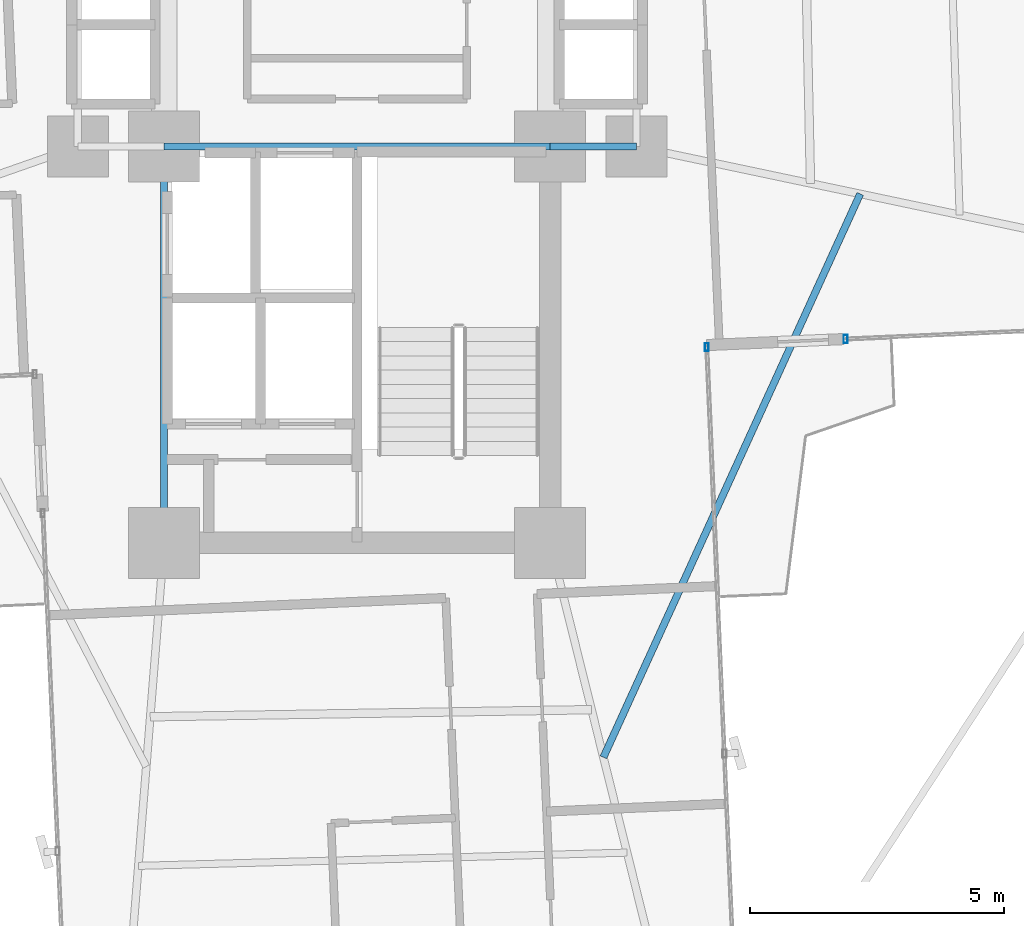
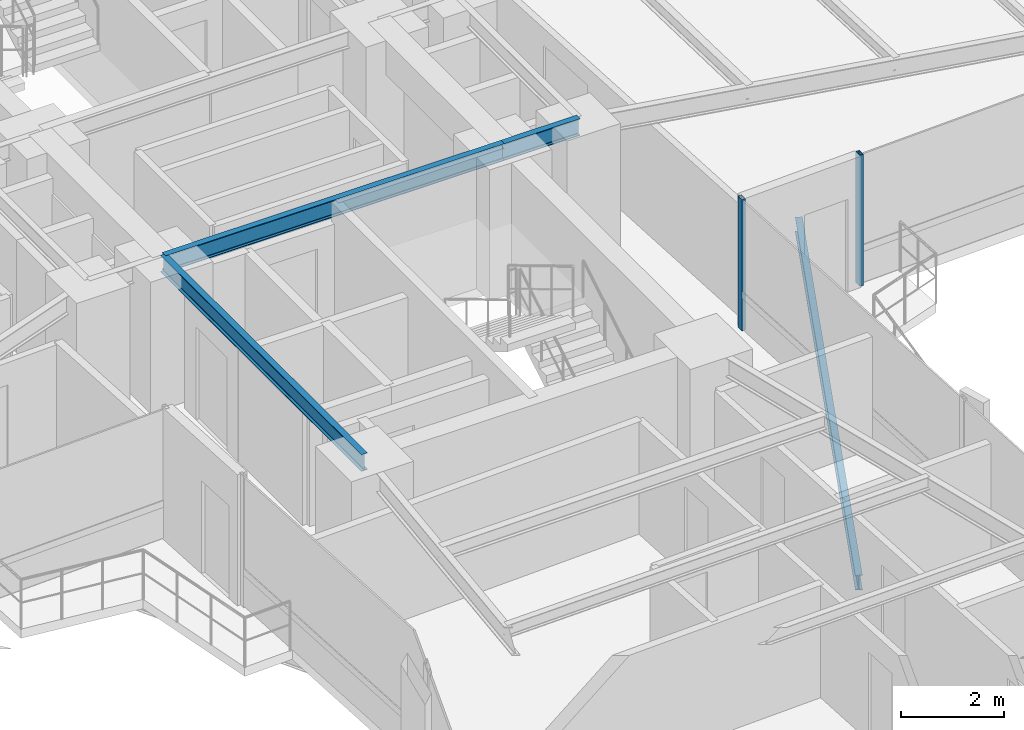
# One storey, part 11 of 26: 4 beams, 2 members, 2 elements without a shape of their own.
"""IFC4 building model written with IfcOpenShell, lengths in metres."""

from ifc_helpers import new_model, si_unit, direction, frame, origin, origin_2d, place, context, subcontext, project, spatial, hollow_rectangle, i_section, extrude, source, transform, mapped, material, material_profile, profile_set, type_object, element, aggregate, save


model = new_model("IFC4")

# Units and contexts
model_context = context("Model", 3, precision=1e-05, world=origin(), true_north=direction((0.0, 1.0)))
body_context = subcontext(model_context, "Body", "Model", "MODEL_VIEW")
ifc_project = project(units=[si_unit("LENGTHUNIT", "METRE"), si_unit("AREAUNIT", "SQUARE_METRE"), si_unit("VOLUMEUNIT", "CUBIC_METRE"), si_unit("PLANEANGLEUNIT", "RADIAN"), si_unit("MASSUNIT", "GRAM", prefix="KILO")], contexts=[model_context])

# Site, building, storey
site_placement = place(None, origin())
site = spatial("IfcSite", under=ifc_project, at=site_placement, CompositionType="ELEMENT")
building_placement = place(site_placement, origin())
building = spatial("IfcBuilding", under=site, at=building_placement, Name="Sahyath Konkavel Grand Hotel", CompositionType="ELEMENT")
storey_placement = place(building_placement, frame((0.0, 0.0, 96.89990234375)))
storey = spatial("IfcBuildingStorey", under=building, at=storey_placement, Name="L26", CompositionType="ELEMENT", Elevation=96.89990234375)

# Beams
ifc_material_1 = material(Name="Steel E350", Category="steel")
ifc_material_profile_1 = material_profile(ifc_material_1, i_section(OverallWidth=0.139892578125, OverallDepth=0.39990234375, WebThickness=0.0087890625, FlangeThickness=0.01611328125, FilletRadius=0.013916015625, at=origin_2d()), Name="ISMB 400")
ifc_profile_set_1 = profile_set([ifc_material_profile_1], Name="Steel E350")
beam_type_1 = type_object("IfcBeamType", Name="BM-ISMB400", PredefinedType="BEAM", material=ifc_profile_set_1)
shared_shape_1 = source(origin(), body_context, "Body", "SweptSolid", [
    extrude(i_section(OverallWidth=0.139892578125, OverallDepth=0.39990234375, WebThickness=0.0087890625, FlangeThickness=0.01611328125, FilletRadius=0.013916015625, at=origin_2d()), origin(), (0.0, 0.0, 1.0), 7.60009765625),
])
beam_1_placement = place(storey_placement, frame((-3.800048828125, -2.39990234375, 2.91015625), z_axis=(1.0, 0.0, 0.0), x_axis=(0.0, 1.0, 0.0)))
element("IfcBeam", 1, at=beam_1_placement, inside=storey, type_object=beam_type_1, Name="str:bm:L26:SC-N", PredefinedType="BEAM", context=body_context, shape_type="MappedRepresentation", body=[
    mapped(shared_shape_1, transform((0.0, 0.0, 0.0), scale=1.0)),
])
shared_shape_2 = source(origin(), body_context, "Body", "SweptSolid", [
    extrude(i_section(OverallWidth=0.139892578125, OverallDepth=0.39990234375, WebThickness=0.0087890625, FlangeThickness=0.01611328125, FilletRadius=0.013916015625, at=origin_2d()), origin(), (0.0, 0.0, 1.0), 7.800048828125),
])
beam_2_placement = place(storey_placement, frame((-3.800048828125, -10.199951171875, 2.91015625), z_axis=(0.0, 1.0, 0.0), x_axis=(-1.0, 0.0, 0.0)))
element("IfcBeam", 2, at=beam_2_placement, inside=storey, type_object=beam_type_1, Name="str:bm:L26:SC-W", PredefinedType="BEAM", context=body_context, shape_type="MappedRepresentation", body=[
    mapped(shared_shape_2, transform((0.0, 0.0, 0.0), scale=1.0)),
])
shared_shape_3 = source(origin(), body_context, "Body", "SweptSolid", [
    extrude(i_section(OverallWidth=0.139892578125, OverallDepth=0.39990234375, WebThickness=0.0087890625, FlangeThickness=0.01611328125, FilletRadius=0.013916015625, at=origin_2d()), origin(), (0.0, 0.0, 1.0), 1.699951171875),
])
beam_3_placement = place(storey_placement, frame((3.800048828125, -2.39990234375, 2.91015625), z_axis=(1.0, 0.0, 0.0), x_axis=(0.0, 1.0, 0.0)))
element("IfcBeam", 3, at=beam_3_placement, inside=storey, type_object=beam_type_1, Name="str:bm:L26:HB-SE", PredefinedType="BEAM", context=body_context, shape_type="MappedRepresentation", body=[
    mapped(shared_shape_3, transform((0.0, 0.0, 0.0), scale=1.0)),
])

# Curtain wall, member
ifc_material_2 = material(Name="Anodised Bronze Aluminium & Low-E Glazing", Category="aluminium")
curtain_wall_type = type_object("IfcCurtainWallType", Name="CW-ZONE2", PredefinedType="NOTDEFINED", material=ifc_material_2)
curtain_wall_1_placement = place(storey_placement, origin())
curtain_wall_1 = element("IfcCurtainWall", 4, at=curtain_wall_1_placement, inside=storey, type_object=curtain_wall_type, Name="L26 Unitised Curtain Wall F0", PredefinedType="NOTDEFINED")
ifc_material_3 = material(Name="Anodised Bronze Aluminium", Category="aluminium")
ifc_material_profile_2 = material_profile(ifc_material_3, hollow_rectangle(XDim=0.080078125, YDim=0.159912109375, WallThickness=0.006103515625, at=origin_2d()), Name="RHS 160x80x6")
ifc_profile_set_2 = profile_set([ifc_material_profile_2], Name="Anodised Bronze Aluminium")
member_type = type_object("IfcMemberType", Name="CW-MUL-160", PredefinedType="MULLION", material=ifc_profile_set_2)
shared_shape_4 = source(origin(), body_context, "Body", "SweptSolid", [
    extrude(hollow_rectangle(XDim=0.080078125, YDim=0.159912109375, WallThickness=0.006103515625, at=origin_2d()), origin(), (0.0, 0.0, 1.0), 3.110107421875),
])
member_1_placement = place(storey_placement, frame((9.618896484375, -6.186279296875, 0.0), z_axis=(0.0, 0.0, 1.0), x_axis=(1.0, 0.0, 0.0)))
member_1 = element("IfcMember", 5, at=member_1_placement, type_object=member_type, Name="L26 Curtain Wall Mullion F0-0", PredefinedType="MULLION", context=body_context, shape_type="MappedRepresentation", body=[
    mapped(shared_shape_4, transform((0.0, 0.0, 0.0), scale=1.0)),
])
aggregate(curtain_wall_1, [member_1])

curtain_wall_2_placement = place(storey_placement, origin())
curtain_wall_2 = element("IfcCurtainWall", 6, at=curtain_wall_2_placement, inside=storey, type_object=curtain_wall_type, Name="L26 Unitised Curtain Wall F31", PredefinedType="NOTDEFINED")
member_2_placement = place(storey_placement, frame((6.88330078125, -6.345703125, 0.0), z_axis=(0.0, 0.0, 1.0), x_axis=(1.0, 0.0, 0.0)))
member_2 = element("IfcMember", 7, at=member_2_placement, type_object=member_type, Name="L26 Curtain Wall Mullion F31-2", PredefinedType="MULLION", context=body_context, shape_type="MappedRepresentation", body=[
    mapped(shared_shape_4, transform((0.0, 0.0, 0.0), scale=1.0)),
])
aggregate(curtain_wall_2, [member_2])

# Beam
ifc_material_profile_3 = material_profile(ifc_material_1, i_section(OverallWidth=0.139892578125, OverallDepth=0.35009765625, WebThickness=0.008056640625, FlangeThickness=0.01416015625, FilletRadius=0.013916015625, at=origin_2d()), Name="ISMB 350")
ifc_profile_set_3 = profile_set([ifc_material_profile_3], Name="Steel E350")
beam_type_2 = type_object("IfcBeamType", Name="BM-BALC-CANT", PredefinedType="BEAM", material=ifc_profile_set_3)
shared_shape_5 = source(origin(), body_context, "Body", "SweptSolid", [
    extrude(i_section(OverallWidth=0.139892578125, OverallDepth=0.35009765625, WebThickness=0.008056640625, FlangeThickness=0.01416015625, FilletRadius=0.013916015625, at=origin_2d()), origin(), (0.0, 0.0, 1.0), 12.190673828125),
])
beam_4_placement = place(storey_placement, frame((4.8486328125, -14.422119140625, -0.414794921875), z_axis=(0.414712580086, 0.909952458054, 0.0), x_axis=(-0.909952458054, 0.414712580086, 0.0)))
element("IfcBeam", 8, at=beam_4_placement, inside=storey, type_object=beam_type_2, Name="L26 Balcony Cantilever Support Beam SE", PredefinedType="BEAM", context=body_context, shape_type="MappedRepresentation", body=[
    mapped(shared_shape_5, transform((0.0, 0.0, 0.0), scale=1.0)),
])

save(model, "model.ifc")
